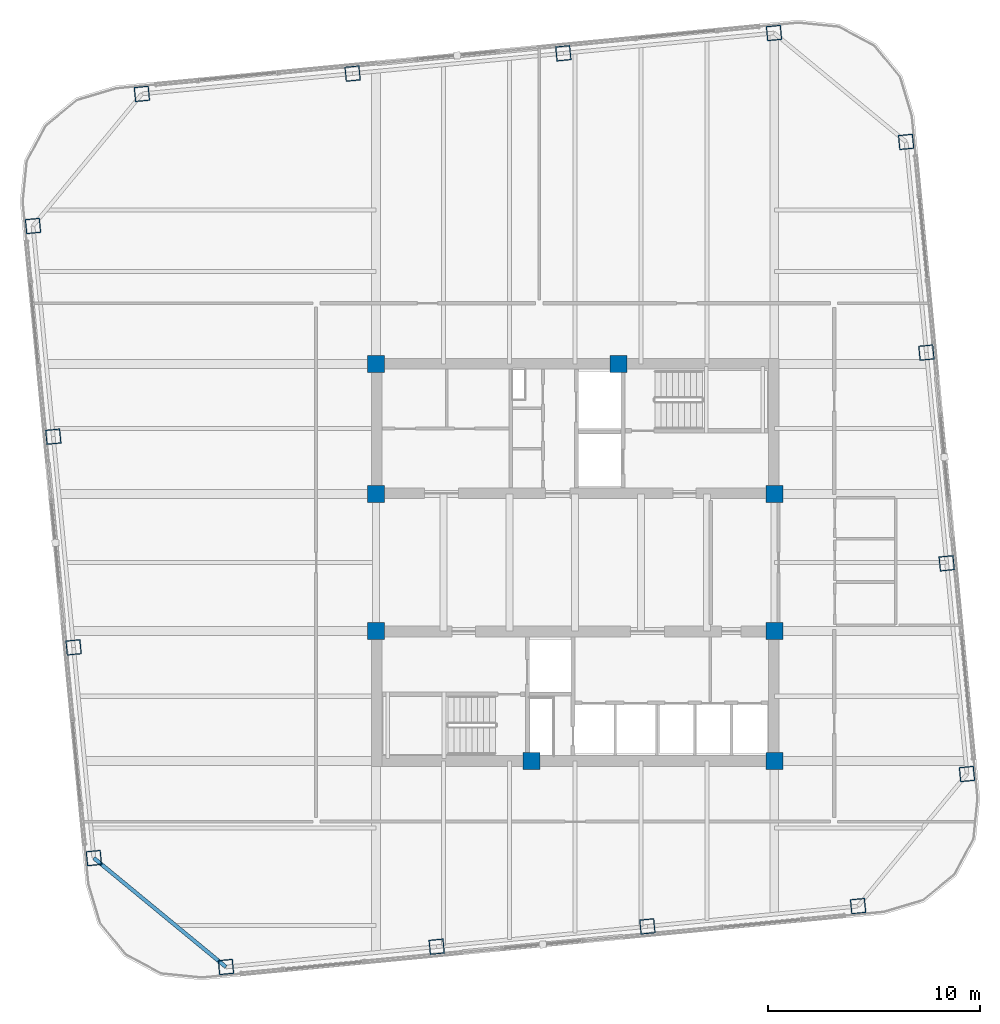
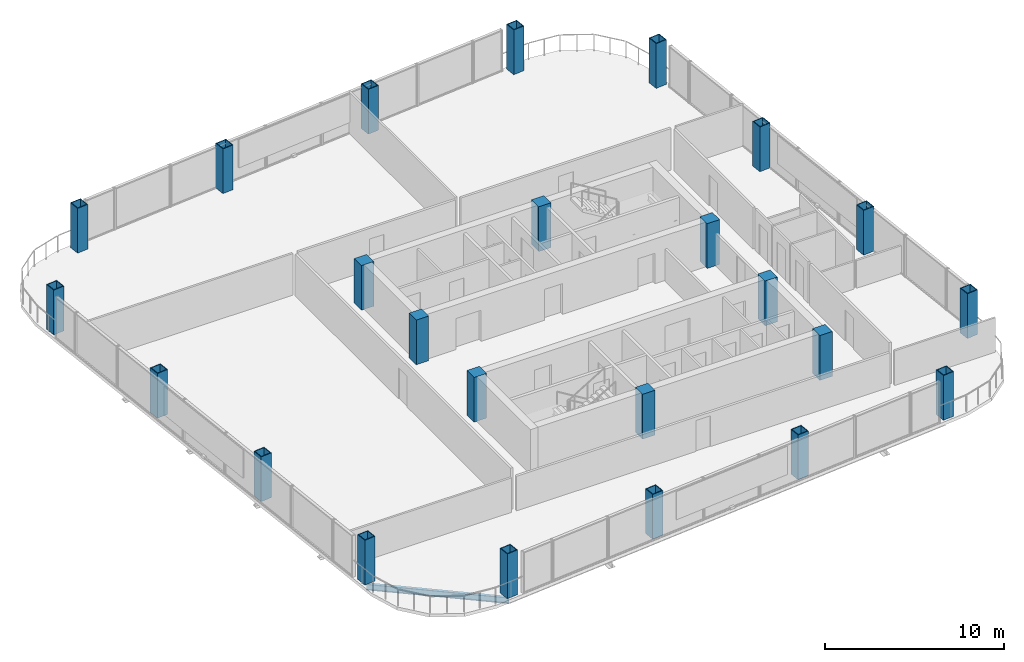
# One storey, part 1 of 21: 24 columns, 1 beam.
"""IFC4 building model written with IfcOpenShell, lengths in metres."""

from ifc_helpers import new_model, si_unit, direction, frame, origin, origin_2d, place, context, subcontext, project, spatial, rectangle, hollow_rectangle, i_section, extrude, material, material_profile, profile_set, type_object, element, save


model = new_model("IFC4")

# Units and contexts
model_context = context("Model", 3, precision=1e-05, world=origin(), true_north=direction((0.0, 1.0)))
body_context = subcontext(model_context, "Body", "Model", "MODEL_VIEW")
ifc_project = project(units=[si_unit("LENGTHUNIT", "METRE"), si_unit("AREAUNIT", "SQUARE_METRE"), si_unit("VOLUMEUNIT", "CUBIC_METRE"), si_unit("PLANEANGLEUNIT", "RADIAN"), si_unit("MASSUNIT", "GRAM", prefix="KILO")], contexts=[model_context])

# Site, building, storey
site_placement = place(None, origin())
site = spatial("IfcSite", under=ifc_project, at=site_placement, CompositionType="ELEMENT")
building_placement = place(site_placement, origin())
building = spatial("IfcBuilding", under=site, at=building_placement, Name="Qhalaya Broadcast Tower", CompositionType="ELEMENT")
storey_placement = place(building_placement, frame((0.0, 0.0, 162.25)))
storey = spatial("IfcBuildingStorey", under=building, at=storey_placement, Name="L47", CompositionType="ELEMENT", Elevation=162.25)

# Columns
ifc_material_1 = material(Name="Concrete C50/60", Category="concrete")
ifc_material_profile_1 = material_profile(ifc_material_1, rectangle(XDim=0.800048828125, YDim=0.800048828125, at=origin_2d()), Name="RC-COL 800x800")
ifc_profile_set_1 = profile_set([ifc_material_profile_1], Name="Concrete C50/60")
column_type_1 = type_object("IfcColumnType", Name="RC Upper Column C10", PredefinedType="COLUMN", material=ifc_profile_set_1)
for number, where, z_axis, x_axis, name in (
    (1, (-9.375, 9.949951171875, 0.0), (0.0, 0.0, 1.0), (1.0, 0.0, 0.0), "L47 Column COL-CC1"),
    (2, (2.050048828125, 9.949951171875, 0.0), (0.0, 0.0, 1.0), (1.0, 0.0, 0.0), "L47 Column COL-CC2"),
    (3, (-9.375, 3.824951171875, 0.0), (0.0, 0.0, 1.0), (1.0, 0.0, 0.0), "L47 Column COL-CC3"),
    (4, (9.375, 3.824951171875, 0.0), (0.0, 0.0, 1.0), (1.0, 0.0, 0.0), "L47 Column COL-CC4"),
    (5, (-9.375, -2.625, 0.0), (0.0, 0.0, 1.0), (1.0, 0.0, 0.0), "L47 Column COL-CC5"),
    (6, (9.375, -2.625, 0.0), (0.0, 0.0, 1.0), (1.0, 0.0, 0.0), "L47 Column COL-CC6"),
    (7, (-2.050048828125, -8.75, 0.0), (0.0, 0.0, 1.0), (1.0, 0.0, 0.0), "L47 Column COL-CC7"),
    (8, (9.375, -8.75, 0.0), (0.0, 0.0, 1.0), (1.0, 0.0, 0.0), "L47 Column COL-CC8"),
):
    element("IfcColumn", number, at=place(storey_placement, frame(where, z_axis=z_axis, x_axis=x_axis)), inside=storey, type_object=column_type_1, Name=name, PredefinedType="COLUMN", context=body_context, shape_type="SweptSolid", body=[
        extrude(rectangle(XDim=0.800048828125, YDim=0.800048828125, at=origin_2d()), origin(), (0.0, 0.0, 1.0), 3.050048828125),
    ])
ifc_material_2 = material(Name="Structural Steel ASTM A572 Grade 50", Category="steel")
ifc_material_profile_2 = material_profile(ifc_material_2, hollow_rectangle(XDim=0.699951171875, YDim=0.699951171875, WallThickness=0.044921875, at=origin_2d()), Name="BOX 700x700x45")
ifc_profile_set_2 = profile_set([ifc_material_profile_2], Name="Structural Steel ASTM A572 Grade 50")
column_type_2 = type_object("IfcColumnType", Name="Steel Box Column C04", PredefinedType="COLUMN", material=ifc_profile_set_2)
for number, where, z_axis, x_axis, name in (
    (9, (-16.44189453125, -18.44775390625, 0.0), (0.0, 0.0, 1.0), (0.995396198367, 0.09584575252, 0.0), "L47 Column COL-EX01"),
    (10, (-6.521240234375, -17.49267578125, 0.0), (0.0, 0.0, 1.0), (0.995396198367, 0.09584575252, 0.0), "L47 Column COL-EX02"),
    (11, (3.399658203125, -16.537353515625, 0.0), (0.0, 0.0, 1.0), (0.995396198367, 0.09584575252, 0.0), "L47 Column COL-EX03"),
    (12, (13.3203125, -15.58203125, 0.0), (0.0, 0.0, 1.0), (0.995396198367, 0.09584575252, 0.0), "L47 Column COL-EX04"),
    (13, (18.44775390625, -9.362060546875, 0.0), (0.0, 0.0, 1.0), (-0.09584575252, 0.995396198367, 0.0), "L47 Column COL-EX05"),
    (14, (17.49267578125, 0.558837890625, 0.0), (0.0, 0.0, 1.0), (-0.09584575252, 0.995396198367, 0.0), "L47 Column COL-EX06"),
    (15, (16.537353515625, 10.4794921875, 0.0), (0.0, 0.0, 1.0), (-0.09584575252, 0.995396198367, 0.0), "L47 Column COL-EX07"),
    (16, (15.58203125, 20.400390625, 0.0), (0.0, 0.0, 1.0), (-0.09584575252, 0.995396198367, 0.0), "L47 Column COL-EX08"),
    (17, (9.362060546875, 25.52783203125, 0.0), (0.0, 0.0, 1.0), (0.995396198367, 0.09584575252, 0.0), "L47 Column COL-EX09"),
    (18, (-0.558837890625, 24.572509765625, 0.0), (0.0, 0.0, 1.0), (0.995396198367, 0.09584575252, 0.0), "L47 Column COL-EX10"),
    (19, (-10.4794921875, 23.6171875, 0.0), (0.0, 0.0, 1.0), (0.995396198367, 0.09584575252, 0.0), "L47 Column COL-EX11"),
    (20, (-20.400390625, 22.662109375, 0.0), (0.0, 0.0, 1.0), (0.995396198367, 0.09584575252, 0.0), "L47 Column COL-EX12"),
    (21, (-25.52783203125, 16.44189453125, 0.0), (0.0, 0.0, 1.0), (-0.09584575252, 0.995396198367, 0.0), "L47 Column COL-EX13"),
    (22, (-24.572509765625, 6.521240234375, 0.0), (0.0, 0.0, 1.0), (-0.09584575252, 0.995396198367, 0.0), "L47 Column COL-EX14"),
    (23, (-23.6171875, -3.399658203125, 0.0), (0.0, 0.0, 1.0), (-0.09584575252, 0.995396198367, 0.0), "L47 Column COL-EX15"),
    (24, (-22.662109375, -13.3203125, 0.0), (0.0, 0.0, 1.0), (-0.09584575252, 0.995396198367, 0.0), "L47 Column COL-EX16"),
):
    element("IfcColumn", number, at=place(storey_placement, frame(where, z_axis=z_axis, x_axis=x_axis)), inside=storey, type_object=column_type_2, Name=name, PredefinedType="COLUMN", context=body_context, shape_type="SweptSolid", body=[
        extrude(hollow_rectangle(XDim=0.699951171875, YDim=0.699951171875, WallThickness=0.044921875, at=origin_2d()), origin(), (0.0, 0.0, 1.0), 3.050048828125),
    ])

# Beam
ifc_material_3 = material(Name="Structural Steel ASTM A992 Grade 50", Category="steel")
ifc_material_profile_3 = material_profile(ifc_material_3, i_section(OverallWidth=0.177978515625, OverallDepth=0.406005859375, WebThickness=0.0078125, FlangeThickness=0.0126953125, at=origin_2d()), Name="W16X40")
ifc_profile_set_3 = profile_set([ifc_material_profile_3], Name="Structural Steel ASTM A992 Grade 50")
beam_type = type_object("IfcBeamType", Name="Upper Perimeter Spandrel Beam SP2", PredefinedType="SPANDREL", material=ifc_profile_set_3)
beam_placement = place(storey_placement, frame((-22.662109375, -13.3203125, -0.423095703125), z_axis=(0.771631160126, -0.636070241972, 0.0), x_axis=(0.636070241972, 0.771631160126, 0.0)))
element("IfcBeam", 25, at=beam_placement, inside=storey, type_object=beam_type, Name="L47 SP2 L47-SPR-16", PredefinedType="SPANDREL", context=body_context, shape_type="SweptSolid", body=[
    extrude(i_section(OverallWidth=0.177978515625, OverallDepth=0.406005859375, WebThickness=0.0078125, FlangeThickness=0.0126953125, at=origin_2d()), origin(), (0.0, 0.0, 1.0), 8.06103515625),
])

save(model, "model.ifc")
